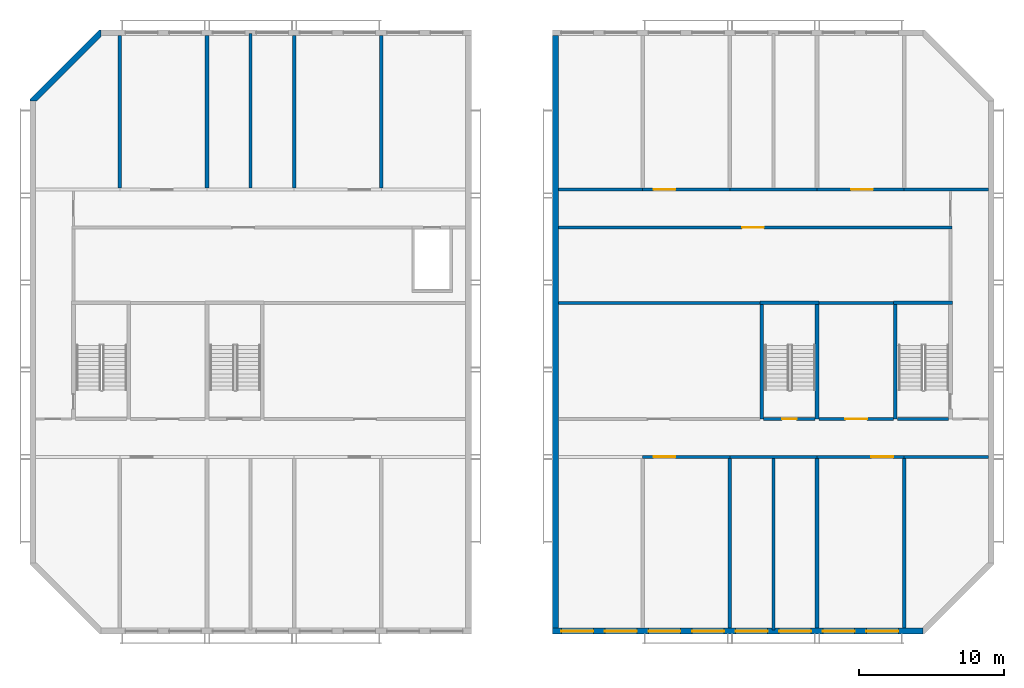
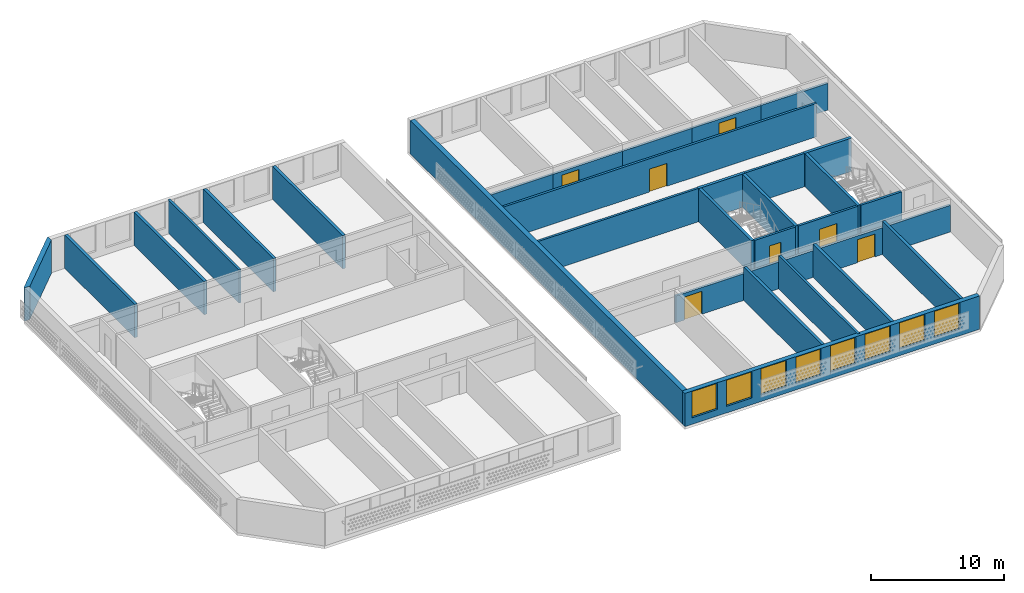
# One storey, part 3 of 18: 32 walls, 8 windows, 7 doors, 15 openings.
"""IFC4 building model written with IfcOpenShell, lengths in metres."""

from ifc_helpers import new_model, si_unit, direction, frame, frame_2d, origin, place, context, subcontext, project, spatial, polyline, rectangle, outline, extrude, material, layer, layer_set, type_object, element, fill, save


model = new_model("IFC4")

# Units and contexts
model_context = context("Model", 3, precision=1e-05, world=origin(), true_north=direction((0.0, 1.0)))
body_context = subcontext(model_context, "Body", "Model", "MODEL_VIEW")
ifc_project = project(units=[si_unit("LENGTHUNIT", "METRE"), si_unit("AREAUNIT", "SQUARE_METRE"), si_unit("VOLUMEUNIT", "CUBIC_METRE"), si_unit("PLANEANGLEUNIT", "RADIAN"), si_unit("MASSUNIT", "GRAM", prefix="KILO")], contexts=[model_context])

# Site, building, storey
site_placement = place(None, origin())
site = spatial("IfcSite", under=ifc_project, at=site_placement, CompositionType="ELEMENT")
building_placement = place(site_placement, origin())
building = spatial("IfcBuilding", under=site, at=building_placement, Name="Poui Terraces", CompositionType="ELEMENT")
storey_placement = place(building_placement, frame((0.0, 0.0, 279.0)))
storey = spatial("IfcBuildingStorey", under=building, at=storey_placement, Name="L77 CROWN", CompositionType="ELEMENT", Elevation=279.0)

# Wall, opening, door
ifc_material_1 = material(Name="Concrete 50 MPa", Category="concrete")
ifc_layer_1 = layer(ifc_material_1, 0.199951171875)
ifc_layer_set_1 = layer_set([ifc_layer_1], Name="Concrete 50 MPa")
wall_type_1 = type_object("IfcWallType", Name="CORRIDOR WALL 200 50MPa", PredefinedType="SHEAR", material=ifc_layer_set_1)
wall_1_placement = place(storey_placement, frame((60.0, 12.0, 0.0), z_axis=(0.0, 0.0, 1.0), x_axis=(1.0, 0.0, 0.0)))
wall_1 = element("IfcWall", 1, at=wall_1_placement, inside=storey, type_object=wall_type_1, Name="CORRIDOR WALL LINE B BAY E2", PredefinedType="SHEAR", context=body_context, shape_type="SweptSolid", body=[
    extrude(rectangle(XDim=6.0, YDim=0.199951171875, at=frame_2d((3.0, 0.0))), origin(), (0.0, 0.0, 1.0), 2.449951171875),
])
opening_1_placement = place(wall_1_placement, frame((0.75, 0.0, 0.0)))
opening_1 = element("IfcOpeningElement", 2, at=opening_1_placement, cuts=wall_1, Name="Opening FDP", PredefinedType="OPENING", context=body_context, shape_type="SweptSolid", body=[
    extrude(rectangle(XDim=1.5, YDim=2.10009765625, at=frame_2d((0.75, 1.050048828125))), frame((0.0, 0.10986328125, 0.0), z_axis=(0.0, -1.0, 0.0), x_axis=(1.0, 0.0, 0.0)), (0.0, 0.0, 1.0), 0.219970703125),
])
ifc_material_2 = material(Name="Steel fire door", Category="steel")
door_type_1 = type_object("IfcDoorType", Name="PLANT ROOM DOOR PAIR 1500 X 2100", OperationType="DOUBLE_DOOR_SINGLE_SWING", PredefinedType="DOOR", material=ifc_material_2)
door_1_placement = place(opening_1_placement, origin())
door_1 = element("IfcDoor", 3, at=door_1_placement, inside=storey, type_object=door_type_1, Name="PLANT ROOM DOOR PAIR 005", OperationType="DOUBLE_DOOR_SINGLE_SWING", OverallHeight=2.10009765625, OverallWidth=1.5, PredefinedType="DOOR", context=body_context, shape_type="SweptSolid", body=[
    extrude(rectangle(XDim=1.5, YDim=2.10009765625, at=frame_2d((0.75, 1.050048828125))), frame((0.0, 0.02490234375, 0.0), z_axis=(0.0, -1.0, 0.0), x_axis=(1.0, 0.0, 0.0)), (0.0, 0.0, 1.0), 0.050048828125),
])
fill(opening_1, door_1)

# Wall
wall_2_placement = place(storey_placement, frame((66.0, 12.0, 0.0), z_axis=(0.0, 0.0, 1.0), x_axis=(1.0, 0.0, 0.0)))
element("IfcWall", 4, at=wall_2_placement, inside=storey, type_object=wall_type_1, Name="CORRIDOR WALL LINE B BAY E3", PredefinedType="SHEAR", context=body_context, shape_type="SweptSolid", body=[
    extrude(rectangle(XDim=6.0, YDim=0.199951171875, at=frame_2d((3.0, 0.0))), origin(), (0.0, 0.0, 1.0), 2.449951171875),
])

# Wall, opening, door
wall_3_placement = place(storey_placement, frame((72.0, 12.0, 0.0), z_axis=(0.0, 0.0, 1.0), x_axis=(1.0, 0.0, 0.0)))
wall_3 = element("IfcWall", 5, at=wall_3_placement, inside=storey, type_object=wall_type_1, Name="CORRIDOR WALL LINE B BAY E4", PredefinedType="SHEAR", context=body_context, shape_type="SweptSolid", body=[
    extrude(rectangle(XDim=6.0, YDim=0.199951171875, at=frame_2d((3.0, 0.0))), origin(), (0.0, 0.0, 1.0), 2.449951171875),
])
opening_2_placement = place(wall_3_placement, frame((3.75, 0.0, 0.0)))
opening_2 = element("IfcOpeningElement", 6, at=opening_2_placement, cuts=wall_3, Name="Opening FDP", PredefinedType="OPENING", context=body_context, shape_type="SweptSolid", body=[
    extrude(rectangle(XDim=1.5, YDim=2.10009765625, at=frame_2d((0.75, 1.050048828125))), frame((0.0, 0.10986328125, 0.0), z_axis=(0.0, -1.0, 0.0), x_axis=(1.0, 0.0, 0.0)), (0.0, 0.0, 1.0), 0.219970703125),
])
door_2_placement = place(opening_2_placement, origin())
door_2 = element("IfcDoor", 7, at=door_2_placement, inside=storey, type_object=door_type_1, Name="PLANT ROOM DOOR PAIR 007", OperationType="DOUBLE_DOOR_SINGLE_SWING", OverallHeight=2.10009765625, OverallWidth=1.5, PredefinedType="DOOR", context=body_context, shape_type="SweptSolid", body=[
    extrude(rectangle(XDim=1.5, YDim=2.10009765625, at=frame_2d((0.75, 1.050048828125))), frame((0.0, 0.02490234375, 0.0), z_axis=(0.0, -1.0, 0.0), x_axis=(1.0, 0.0, 0.0)), (0.0, 0.0, 1.0), 0.050048828125),
])
fill(opening_2, door_2)

# Walls
for number, where, z_axis, x_axis, name in (
    (8, (78.0, 12.0, 0.0), (0.0, 0.0, 1.0), (1.0, 0.0, 0.0), "CORRIDOR WALL LINE B BAY E5"),
    (9, (54.199951171875, 30.39990234375, 0.0), (0.0, 0.0, 1.0), (1.0, 0.0, 0.0), "CORRIDOR WALL LINE E BAY E1"),
):
    element("IfcWall", number, at=place(storey_placement, frame(where, z_axis=z_axis, x_axis=x_axis)), inside=storey, type_object=wall_type_1, Name=name, PredefinedType="SHEAR", context=body_context, shape_type="SweptSolid", body=[
        extrude(rectangle(XDim=5.800048828125, YDim=0.199951171875, at=frame_2d((2.89990234375, 0.0))), origin(), (0.0, 0.0, 1.0), 2.449951171875),
    ])

# Wall, opening, door
wall_4_placement = place(storey_placement, frame((60.0, 30.39990234375, 0.0), z_axis=(0.0, 0.0, 1.0), x_axis=(1.0, 0.0, 0.0)))
wall_4 = element("IfcWall", 10, at=wall_4_placement, inside=storey, type_object=wall_type_1, Name="CORRIDOR WALL LINE E BAY E2", PredefinedType="SHEAR", context=body_context, shape_type="SweptSolid", body=[
    extrude(rectangle(XDim=6.0, YDim=0.199951171875, at=frame_2d((3.0, 0.0))), origin(), (0.0, 0.0, 1.0), 2.449951171875),
])
opening_3_placement = place(wall_4_placement, frame((0.75, 0.0, 0.0)))
opening_3 = element("IfcOpeningElement", 11, at=opening_3_placement, cuts=wall_4, Name="Opening FDP", PredefinedType="OPENING", context=body_context, shape_type="SweptSolid", body=[
    extrude(rectangle(XDim=1.5, YDim=2.10009765625, at=frame_2d((0.75, 1.050048828125))), frame((0.0, 0.10986328125, 0.0), z_axis=(0.0, -1.0, 0.0), x_axis=(1.0, 0.0, 0.0)), (0.0, 0.0, 1.0), 0.219970703125),
])
door_3_placement = place(opening_3_placement, frame((1.5, 0.0, 0.0), z_axis=(0.0, 0.0, 1.0), x_axis=(-1.0, 0.0, 0.0)))
door_3 = element("IfcDoor", 12, at=door_3_placement, inside=storey, type_object=door_type_1, Name="PLANT ROOM DOOR PAIR 001", OperationType="DOUBLE_DOOR_SINGLE_SWING", OverallHeight=2.10009765625, OverallWidth=1.5, PredefinedType="DOOR", context=body_context, shape_type="SweptSolid", body=[
    extrude(rectangle(XDim=1.5, YDim=2.10009765625, at=frame_2d((0.75, 1.050048828125))), frame((0.0, 0.02490234375, 0.0), z_axis=(0.0, -1.0, 0.0), x_axis=(1.0, 0.0, 0.0)), (0.0, 0.0, 1.0), 0.050048828125),
])
fill(opening_3, door_3)

# Wall
wall_5_placement = place(storey_placement, frame((66.0, 30.39990234375, 0.0), z_axis=(0.0, 0.0, 1.0), x_axis=(1.0, 0.0, 0.0)))
element("IfcWall", 13, at=wall_5_placement, inside=storey, type_object=wall_type_1, Name="CORRIDOR WALL LINE E BAY E3", PredefinedType="SHEAR", context=body_context, shape_type="SweptSolid", body=[
    extrude(rectangle(XDim=6.0, YDim=0.199951171875, at=frame_2d((3.0, 0.0))), origin(), (0.0, 0.0, 1.0), 2.449951171875),
])

# Wall, opening, door
wall_6_placement = place(storey_placement, frame((72.0, 30.39990234375, 0.0), z_axis=(0.0, 0.0, 1.0), x_axis=(1.0, 0.0, 0.0)))
wall_6 = element("IfcWall", 14, at=wall_6_placement, inside=storey, type_object=wall_type_1, Name="CORRIDOR WALL LINE E BAY E4", PredefinedType="SHEAR", context=body_context, shape_type="SweptSolid", body=[
    extrude(rectangle(XDim=6.0, YDim=0.199951171875, at=frame_2d((3.0, 0.0))), origin(), (0.0, 0.0, 1.0), 2.449951171875),
])
opening_4_placement = place(wall_6_placement, frame((2.35009765625, 0.0, 0.0)))
opening_4 = element("IfcOpeningElement", 15, at=opening_4_placement, cuts=wall_6, Name="Opening FDP", PredefinedType="OPENING", context=body_context, shape_type="SweptSolid", body=[
    extrude(rectangle(XDim=1.5, YDim=2.10009765625, at=frame_2d((0.75, 1.050048828125))), frame((0.0, 0.10986328125, 0.0), z_axis=(0.0, -1.0, 0.0), x_axis=(1.0, 0.0, 0.0)), (0.0, 0.0, 1.0), 0.219970703125),
])
door_4_placement = place(opening_4_placement, frame((1.5, 0.0, 0.0), z_axis=(0.0, 0.0, 1.0), x_axis=(-1.0, 0.0, 0.0)))
door_4 = element("IfcDoor", 16, at=door_4_placement, inside=storey, type_object=door_type_1, Name="PLANT ROOM DOOR PAIR 003", OperationType="DOUBLE_DOOR_SINGLE_SWING", OverallHeight=2.10009765625, OverallWidth=1.5, PredefinedType="DOOR", context=body_context, shape_type="SweptSolid", body=[
    extrude(rectangle(XDim=1.5, YDim=2.10009765625, at=frame_2d((0.75, 1.050048828125))), frame((0.0, 0.02490234375, 0.0), z_axis=(0.0, -1.0, 0.0), x_axis=(1.0, 0.0, 0.0)), (0.0, 0.0, 1.0), 0.050048828125),
])
fill(opening_4, door_4)

# Walls
wall_7_placement = place(storey_placement, frame((78.0, 30.39990234375, 0.0), z_axis=(0.0, 0.0, 1.0), x_axis=(1.0, 0.0, 0.0)))
element("IfcWall", 17, at=wall_7_placement, inside=storey, type_object=wall_type_1, Name="CORRIDOR WALL LINE E BAY E5", PredefinedType="SHEAR", context=body_context, shape_type="SweptSolid", body=[
    extrude(rectangle(XDim=5.800048828125, YDim=0.199951171875, at=frame_2d((2.89990234375, 0.0))), origin(), (0.0, 0.0, 1.0), 2.449951171875),
])
ifc_layer_2 = layer(ifc_material_1, 0.25)
ifc_layer_set_2 = layer_set([ifc_layer_2], Name="Concrete 50 MPa")
wall_type_2 = type_object("IfcWallType", Name="CROSS WALL 250 50MPa", PredefinedType="SHEAR", material=ifc_layer_set_2)
for number, where, z_axis, x_axis, name in (
    (18, (24.0, 30.5, 0.0), (0.0, 0.0, 1.0), (0.0, 1.0, 0.0), "CROSS WALL LINE 5 NORTH"),
    (19, (30.0, 30.5, 0.0), (0.0, 0.0, 1.0), (0.0, 1.0, 0.0), "CROSS WALL LINE 6 NORTH"),
    (20, (36.0, 30.5, 0.0), (0.0, 0.0, 1.0), (0.0, 1.0, 0.0), "CROSS WALL LINE 7 NORTH"),
    (21, (42.0, 30.5, 0.0), (0.0, 0.0, 1.0), (0.0, 1.0, 0.0), "CROSS WALL LINE 8 NORTH"),
):
    element("IfcWall", number, at=place(storey_placement, frame(where, z_axis=z_axis, x_axis=x_axis)), inside=storey, type_object=wall_type_2, Name=name, PredefinedType="SHEAR", context=body_context, shape_type="SweptSolid", body=[
        extrude(rectangle(XDim=10.5, YDim=0.25, at=frame_2d((5.25, 0.0))), origin(), (0.0, 0.0, 1.0), 3.050048828125),
    ])
for number, where, z_axis, x_axis, name in (
    (22, (66.0, 0.199951171875, 0.0), (0.0, 0.0, 1.0), (0.0, 1.0, 0.0), "CROSS WALL LINE 12 SOUTH"),
    (23, (72.0, 0.199951171875, 0.0), (0.0, 0.0, 1.0), (0.0, 1.0, 0.0), "CROSS WALL LINE 13 SOUTH"),
    (24, (78.0, 0.199951171875, 0.0), (0.0, 0.0, 1.0), (0.0, 1.0, 0.0), "CROSS WALL LINE 14 SOUTH"),
):
    element("IfcWall", number, at=place(storey_placement, frame(where, z_axis=z_axis, x_axis=x_axis)), inside=storey, type_object=wall_type_2, Name=name, PredefinedType="SHEAR", context=body_context, shape_type="SweptSolid", body=[
        extrude(rectangle(XDim=11.699951171875, YDim=0.25, at=frame_2d((5.85009765625, 0.0))), origin(), (0.0, 0.0, 1.0), 3.050048828125),
    ])
ifc_layer_3 = layer(ifc_material_1, 0.39990234375)
ifc_layer_set_3 = layer_set([ifc_layer_3], Name="Concrete 50 MPa")
wall_type_3 = type_object("IfcWallType", Name="END WALL 400 50MPa", PredefinedType="SHEAR", material=ifc_layer_set_3)
wall_8_placement = place(storey_placement, frame((54.0, 0.199951171875, 0.0), z_axis=(0.0, 0.0, 1.0), x_axis=(0.0, 1.0, 0.0)))
element("IfcWall", 25, at=wall_8_placement, inside=storey, type_object=wall_type_3, Name="END WALL LINE 10", PredefinedType="SHEAR", context=body_context, shape_type="SweptSolid", body=[
    extrude(rectangle(XDim=40.800048828125, YDim=0.39990234375, at=frame_2d((20.39990234375, 0.0))), origin(), (0.0, 0.0, 1.0), 3.050048828125),
])

# Wall, openings, windows
ifc_material_3 = material(Name="Precast concrete 40 MPa", Category="concrete")
ifc_layer_4 = layer(ifc_material_3, 0.39990234375)
ifc_layer_set_4 = layer_set([ifc_layer_4], Name="Precast concrete 40 MPa")
wall_type_4 = type_object("IfcWallType", Name="EXTERNAL WALL 400", PredefinedType="STANDARD", material=ifc_layer_set_4)
wall_9_placement = place(storey_placement, frame((53.800048828125, 0.0, 0.0), z_axis=(0.0, 0.0, 1.0), x_axis=(1.0, 0.0, 0.0)))
wall_9 = element("IfcWall", 26, at=wall_9_placement, inside=storey, type_object=wall_type_4, Name="EXTERNAL WALL S", PredefinedType="STANDARD", context=body_context, shape_type="SweptSolid", body=[
    extrude(rectangle(XDim=25.51708984375, YDim=0.39990234375, at=frame_2d((12.758544921875, 0.0))), origin(), (0.0, 0.0, 1.0), 3.050048828125),
])
opening_5_placement = place(wall_9_placement, frame((0.60009765625, 0.0, 0.60009765625)))
opening_5 = element("IfcOpeningElement", 27, at=opening_5_placement, cuts=wall_9, Name="Opening W5", PredefinedType="OPENING", context=body_context, shape_type="SweptSolid", body=[
    extrude(rectangle(XDim=2.199951171875, YDim=2.39990234375, at=frame_2d((1.10009765625, 1.199951171875))), frame((0.0, 0.2099609375, 0.0), z_axis=(0.0, -1.0, 0.0), x_axis=(1.0, 0.0, 0.0)), (0.0, 0.0, 1.0), 0.419921875),
])
opening_6_placement = place(wall_9_placement, frame((3.60009765625, 0.0, 0.60009765625)))
opening_6 = element("IfcOpeningElement", 28, at=opening_6_placement, cuts=wall_9, Name="Opening W5", PredefinedType="OPENING", context=body_context, shape_type="SweptSolid", body=[
    extrude(rectangle(XDim=2.199951171875, YDim=2.39990234375, at=frame_2d((1.10009765625, 1.199951171875))), frame((0.0, 0.2099609375, 0.0), z_axis=(0.0, -1.0, 0.0), x_axis=(1.0, 0.0, 0.0)), (0.0, 0.0, 1.0), 0.419921875),
])
opening_7_placement = place(wall_9_placement, frame((6.60009765625, 0.0, 0.60009765625)))
opening_7 = element("IfcOpeningElement", 29, at=opening_7_placement, cuts=wall_9, Name="Opening W5", PredefinedType="OPENING", context=body_context, shape_type="SweptSolid", body=[
    extrude(rectangle(XDim=2.199951171875, YDim=2.39990234375, at=frame_2d((1.10009765625, 1.199951171875))), frame((0.0, 0.2099609375, 0.0), z_axis=(0.0, -1.0, 0.0), x_axis=(1.0, 0.0, 0.0)), (0.0, 0.0, 1.0), 0.419921875),
])
opening_8_placement = place(wall_9_placement, frame((9.60009765625, 0.0, 0.60009765625)))
opening_8 = element("IfcOpeningElement", 30, at=opening_8_placement, cuts=wall_9, Name="Opening W5", PredefinedType="OPENING", context=body_context, shape_type="SweptSolid", body=[
    extrude(rectangle(XDim=2.199951171875, YDim=2.39990234375, at=frame_2d((1.10009765625, 1.199951171875))), frame((0.0, 0.2099609375, 0.0), z_axis=(0.0, -1.0, 0.0), x_axis=(1.0, 0.0, 0.0)), (0.0, 0.0, 1.0), 0.419921875),
])
opening_9_placement = place(wall_9_placement, frame((12.60009765625, 0.0, 0.60009765625)))
opening_9 = element("IfcOpeningElement", 31, at=opening_9_placement, cuts=wall_9, Name="Opening W5", PredefinedType="OPENING", context=body_context, shape_type="SweptSolid", body=[
    extrude(rectangle(XDim=2.199951171875, YDim=2.39990234375, at=frame_2d((1.10009765625, 1.199951171875))), frame((0.0, 0.2099609375, 0.0), z_axis=(0.0, -1.0, 0.0), x_axis=(1.0, 0.0, 0.0)), (0.0, 0.0, 1.0), 0.419921875),
])
opening_10_placement = place(wall_9_placement, frame((15.60009765625, 0.0, 0.60009765625)))
opening_10 = element("IfcOpeningElement", 32, at=opening_10_placement, cuts=wall_9, Name="Opening W5", PredefinedType="OPENING", context=body_context, shape_type="SweptSolid", body=[
    extrude(rectangle(XDim=2.199951171875, YDim=2.39990234375, at=frame_2d((1.10009765625, 1.199951171875))), frame((0.0, 0.2099609375, 0.0), z_axis=(0.0, -1.0, 0.0), x_axis=(1.0, 0.0, 0.0)), (0.0, 0.0, 1.0), 0.419921875),
])
opening_11_placement = place(wall_9_placement, frame((18.60009765625, 0.0, 0.60009765625)))
opening_11 = element("IfcOpeningElement", 33, at=opening_11_placement, cuts=wall_9, Name="Opening W5", PredefinedType="OPENING", context=body_context, shape_type="SweptSolid", body=[
    extrude(rectangle(XDim=2.199951171875, YDim=2.39990234375, at=frame_2d((1.10009765625, 1.199951171875))), frame((0.0, 0.2099609375, 0.0), z_axis=(0.0, -1.0, 0.0), x_axis=(1.0, 0.0, 0.0)), (0.0, 0.0, 1.0), 0.419921875),
])
opening_12_placement = place(wall_9_placement, frame((21.60009765625, 0.0, 0.60009765625)))
opening_12 = element("IfcOpeningElement", 34, at=opening_12_placement, cuts=wall_9, Name="Opening W5", PredefinedType="OPENING", context=body_context, shape_type="SweptSolid", body=[
    extrude(rectangle(XDim=2.199951171875, YDim=2.39990234375, at=frame_2d((1.10009765625, 1.199951171875))), frame((0.0, 0.2099609375, 0.0), z_axis=(0.0, -1.0, 0.0), x_axis=(1.0, 0.0, 0.0)), (0.0, 0.0, 1.0), 0.419921875),
])
ifc_material_4 = material(Name="Clear glass in aluminium frame", Category="aluminium")
window_type = type_object("IfcWindowType", Name="WINDOW 2200X2400", PartitioningType="TRIPLE_PANEL_HORIZONTAL", PredefinedType="WINDOW", material=ifc_material_4)
window_1_placement = place(opening_5_placement, origin())
window_1 = element("IfcWindow", 35, at=window_1_placement, inside=storey, type_object=window_type, Name="W5 WINDOW", OverallHeight=2.39990234375, OverallWidth=2.199951171875, PartitioningType="TRIPLE_PANEL_HORIZONTAL", PredefinedType="WINDOW", context=body_context, shape_type="SweptSolid", body=[
    extrude(rectangle(XDim=2.199951171875, YDim=2.39990234375, at=frame_2d((1.10009765625, 1.199951171875))), frame((0.0, 0.030029296875, 0.0), z_axis=(0.0, -1.0, 0.0), x_axis=(1.0, 0.0, 0.0)), (0.0, 0.0, 1.0), 0.06005859375),
])
fill(opening_5, window_1)
window_2_placement = place(opening_6_placement, origin())
window_2 = element("IfcWindow", 36, at=window_2_placement, inside=storey, type_object=window_type, Name="W5 WINDOW", OverallHeight=2.39990234375, OverallWidth=2.199951171875, PartitioningType="TRIPLE_PANEL_HORIZONTAL", PredefinedType="WINDOW", context=body_context, shape_type="SweptSolid", body=[
    extrude(rectangle(XDim=2.199951171875, YDim=2.39990234375, at=frame_2d((1.10009765625, 1.199951171875))), frame((0.0, 0.030029296875, 0.0), z_axis=(0.0, -1.0, 0.0), x_axis=(1.0, 0.0, 0.0)), (0.0, 0.0, 1.0), 0.06005859375),
])
fill(opening_6, window_2)
window_3_placement = place(opening_7_placement, origin())
window_3 = element("IfcWindow", 37, at=window_3_placement, inside=storey, type_object=window_type, Name="W5 WINDOW", OverallHeight=2.39990234375, OverallWidth=2.199951171875, PartitioningType="TRIPLE_PANEL_HORIZONTAL", PredefinedType="WINDOW", context=body_context, shape_type="SweptSolid", body=[
    extrude(rectangle(XDim=2.199951171875, YDim=2.39990234375, at=frame_2d((1.10009765625, 1.199951171875))), frame((0.0, 0.030029296875, 0.0), z_axis=(0.0, -1.0, 0.0), x_axis=(1.0, 0.0, 0.0)), (0.0, 0.0, 1.0), 0.06005859375),
])
fill(opening_7, window_3)
window_4_placement = place(opening_8_placement, origin())
window_4 = element("IfcWindow", 38, at=window_4_placement, inside=storey, type_object=window_type, Name="W5 WINDOW", OverallHeight=2.39990234375, OverallWidth=2.199951171875, PartitioningType="TRIPLE_PANEL_HORIZONTAL", PredefinedType="WINDOW", context=body_context, shape_type="SweptSolid", body=[
    extrude(rectangle(XDim=2.199951171875, YDim=2.39990234375, at=frame_2d((1.10009765625, 1.199951171875))), frame((0.0, 0.030029296875, 0.0), z_axis=(0.0, -1.0, 0.0), x_axis=(1.0, 0.0, 0.0)), (0.0, 0.0, 1.0), 0.06005859375),
])
fill(opening_8, window_4)
window_5_placement = place(opening_9_placement, origin())
window_5 = element("IfcWindow", 39, at=window_5_placement, inside=storey, type_object=window_type, Name="W5 WINDOW", OverallHeight=2.39990234375, OverallWidth=2.199951171875, PartitioningType="TRIPLE_PANEL_HORIZONTAL", PredefinedType="WINDOW", context=body_context, shape_type="SweptSolid", body=[
    extrude(rectangle(XDim=2.199951171875, YDim=2.39990234375, at=frame_2d((1.10009765625, 1.199951171875))), frame((0.0, 0.030029296875, 0.0), z_axis=(0.0, -1.0, 0.0), x_axis=(1.0, 0.0, 0.0)), (0.0, 0.0, 1.0), 0.06005859375),
])
fill(opening_9, window_5)
window_6_placement = place(opening_10_placement, origin())
window_6 = element("IfcWindow", 40, at=window_6_placement, inside=storey, type_object=window_type, Name="W5 WINDOW", OverallHeight=2.39990234375, OverallWidth=2.199951171875, PartitioningType="TRIPLE_PANEL_HORIZONTAL", PredefinedType="WINDOW", context=body_context, shape_type="SweptSolid", body=[
    extrude(rectangle(XDim=2.199951171875, YDim=2.39990234375, at=frame_2d((1.10009765625, 1.199951171875))), frame((0.0, 0.030029296875, 0.0), z_axis=(0.0, -1.0, 0.0), x_axis=(1.0, 0.0, 0.0)), (0.0, 0.0, 1.0), 0.06005859375),
])
fill(opening_10, window_6)
window_7_placement = place(opening_11_placement, origin())
window_7 = element("IfcWindow", 41, at=window_7_placement, inside=storey, type_object=window_type, Name="W5 WINDOW", OverallHeight=2.39990234375, OverallWidth=2.199951171875, PartitioningType="TRIPLE_PANEL_HORIZONTAL", PredefinedType="WINDOW", context=body_context, shape_type="SweptSolid", body=[
    extrude(rectangle(XDim=2.199951171875, YDim=2.39990234375, at=frame_2d((1.10009765625, 1.199951171875))), frame((0.0, 0.030029296875, 0.0), z_axis=(0.0, -1.0, 0.0), x_axis=(1.0, 0.0, 0.0)), (0.0, 0.0, 1.0), 0.06005859375),
])
fill(opening_11, window_7)
window_8_placement = place(opening_12_placement, origin())
window_8 = element("IfcWindow", 42, at=window_8_placement, inside=storey, type_object=window_type, Name="W5 WINDOW", OverallHeight=2.39990234375, OverallWidth=2.199951171875, PartitioningType="TRIPLE_PANEL_HORIZONTAL", PredefinedType="WINDOW", context=body_context, shape_type="SweptSolid", body=[
    extrude(rectangle(XDim=2.199951171875, YDim=2.39990234375, at=frame_2d((1.10009765625, 1.199951171875))), frame((0.0, 0.030029296875, 0.0), z_axis=(0.0, -1.0, 0.0), x_axis=(1.0, 0.0, 0.0)), (0.0, 0.0, 1.0), 0.06005859375),
])
fill(opening_12, window_8)

# Wall, opening, door
ifc_material_5 = material(Name="Fire-rated masonry wall", Category="masonry")
ifc_layer_5 = layer(ifc_material_5, 0.199951171875)
ifc_layer_set_5 = layer_set([ifc_layer_5], Name="Fire-rated masonry wall")
wall_type_5 = type_object("IfcWallType", Name="PLANT ROOM WALL 200", PredefinedType="PARTITIONING", material=ifc_layer_set_5)
wall_10_placement = place(storey_placement, frame((72.135009765625, 14.60009765625, 0.0), z_axis=(0.0, 0.0, 1.0), x_axis=(1.0, 0.0, 0.0)))
wall_10 = element("IfcWall", 43, at=wall_10_placement, inside=storey, type_object=wall_type_5, Name="PLANT ROOM WALL 200", PredefinedType="PARTITIONING", context=body_context, shape_type="SweptSolid", body=[
    extrude(rectangle(XDim=5.1298828125, YDim=0.199951171875, at=frame_2d((2.56494140625, 0.0))), origin(), (0.0, 0.0, 1.0), 3.050048828125),
])
opening_13_placement = place(wall_10_placement, frame((1.81494140625, 0.0, 0.0)))
opening_13 = element("IfcOpeningElement", 44, at=opening_13_placement, cuts=wall_10, Name="Opening FDP", PredefinedType="OPENING", context=body_context, shape_type="SweptSolid", body=[
    extrude(rectangle(XDim=1.5, YDim=2.10009765625, at=frame_2d((0.75, 1.050048828125))), frame((0.0, 0.10986328125, 0.0), z_axis=(0.0, -1.0, 0.0), x_axis=(1.0, 0.0, 0.0)), (0.0, 0.0, 1.0), 0.219970703125),
])
door_5_placement = place(opening_13_placement, frame((1.5, 0.0, 0.0), z_axis=(0.0, 0.0, 1.0), x_axis=(-1.0, 0.0, 0.0)))
door_5 = element("IfcDoor", 45, at=door_5_placement, inside=storey, type_object=door_type_1, Name="PLANT ROOM DOOR PAIR 006", OperationType="DOUBLE_DOOR_SINGLE_SWING", OverallHeight=2.10009765625, OverallWidth=1.5, PredefinedType="DOOR", context=body_context, shape_type="SweptSolid", body=[
    extrude(rectangle(XDim=1.5, YDim=2.10009765625, at=frame_2d((0.75, 1.050048828125))), frame((0.0, 0.02490234375, 0.0), z_axis=(0.0, -1.0, 0.0), x_axis=(1.0, 0.0, 0.0)), (0.0, 0.0, 1.0), 0.050048828125),
])
fill(opening_13, door_5)

# Walls
wall_11_placement = place(storey_placement, frame((54.2099609375, 22.60009765625, 0.0), z_axis=(0.0, 0.0, 1.0), x_axis=(1.0, 0.0, 0.0)))
element("IfcWall", 46, at=wall_11_placement, inside=storey, type_object=wall_type_5, Name="PLANT ROOM WALL 200", PredefinedType="PARTITIONING", context=body_context, shape_type="SweptSolid", body=[
    extrude(rectangle(XDim=13.85498046875, YDim=0.199951171875, at=frame_2d((6.927490234375, 0.0))), origin(), (0.0, 0.0, 1.0), 3.050048828125),
])
wall_12_placement = place(storey_placement, frame((72.135009765625, 22.60009765625, 0.0), z_axis=(0.0, 0.0, 1.0), x_axis=(1.0, 0.0, 0.0)))
element("IfcWall", 47, at=wall_12_placement, inside=storey, type_object=wall_type_5, Name="PLANT ROOM WALL 200", PredefinedType="PARTITIONING", context=body_context, shape_type="SweptSolid", body=[
    extrude(rectangle(XDim=5.1298828125, YDim=0.199951171875, at=frame_2d((2.56494140625, 0.0))), origin(), (0.0, 0.0, 1.0), 3.050048828125),
])

# Wall, opening, door
wall_13_placement = place(storey_placement, frame((54.2099609375, 27.800048828125, 0.0), z_axis=(0.0, 0.0, 1.0), x_axis=(1.0, 0.0, 0.0)))
wall_13 = element("IfcWall", 48, at=wall_13_placement, inside=storey, type_object=wall_type_5, Name="PLANT ROOM WALL 200", PredefinedType="PARTITIONING", context=body_context, shape_type="SweptSolid", body=[
    extrude(rectangle(XDim=27.090087890625, YDim=0.199951171875, at=frame_2d((13.544921875, 0.0))), origin(), (0.0, 0.0, 1.0), 3.050048828125),
])
opening_14_placement = place(wall_13_placement, frame((12.639892578125, 0.0, 0.0)))
opening_14 = element("IfcOpeningElement", 49, at=opening_14_placement, cuts=wall_13, Name="Opening FDP", PredefinedType="OPENING", context=body_context, shape_type="SweptSolid", body=[
    extrude(rectangle(XDim=1.5, YDim=2.10009765625, at=frame_2d((0.75, 1.050048828125))), frame((0.0, 0.10986328125, 0.0), z_axis=(0.0, -1.0, 0.0), x_axis=(1.0, 0.0, 0.0)), (0.0, 0.0, 1.0), 0.219970703125),
])
door_6_placement = place(opening_14_placement, origin())
door_6 = element("IfcDoor", 50, at=door_6_placement, inside=storey, type_object=door_type_1, Name="PLANT ROOM DOOR PAIR 002", OperationType="DOUBLE_DOOR_SINGLE_SWING", OverallHeight=2.10009765625, OverallWidth=1.5, PredefinedType="DOOR", context=body_context, shape_type="SweptSolid", body=[
    extrude(rectangle(XDim=1.5, YDim=2.10009765625, at=frame_2d((0.75, 1.050048828125))), frame((0.0, 0.02490234375, 0.0), z_axis=(0.0, -1.0, 0.0), x_axis=(1.0, 0.0, 0.0)), (0.0, 0.0, 1.0), 0.050048828125),
])
fill(opening_14, door_6)

# Walls
wall_14_placement = place(storey_placement, frame((33.0, 30.510009765625, 0.0), z_axis=(0.0, 0.0, 1.0), x_axis=(0.0, 1.0, 0.0)))
element("IfcWall", 51, at=wall_14_placement, inside=storey, type_object=wall_type_5, Name="PLANT ROOM WALL 200", PredefinedType="PARTITIONING", context=body_context, shape_type="SweptSolid", body=[
    extrude(rectangle(XDim=10.6298828125, YDim=0.199951171875, at=frame_2d((5.31494140625, 0.0))), origin(), (0.0, 0.0, 1.0), 3.050048828125),
])
wall_15_placement = place(storey_placement, frame((69.0, 0.06005859375, 0.0), z_axis=(0.0, 0.0, 1.0), x_axis=(0.0, 1.0, 0.0)))
element("IfcWall", 52, at=wall_15_placement, inside=storey, type_object=wall_type_5, Name="PLANT ROOM WALL 200", PredefinedType="PARTITIONING", context=body_context, shape_type="SweptSolid", body=[
    extrude(rectangle(XDim=11.829833984375, YDim=0.199951171875, at=frame_2d((5.9150390625, 0.0))), origin(), (0.0, 0.0, 1.0), 3.050048828125),
])
ifc_layer_6 = layer(ifc_material_1, 0.25)
ifc_layer_set_6 = layer_set([ifc_layer_6], Name="Concrete 50 MPa")
wall_type_6 = type_object("IfcWallType", Name="STAIR CORE WALL 250 50 MPA", PredefinedType="SOLIDWALL", material=ifc_layer_set_6)
wall_16_placement = place(storey_placement, frame((77.39990234375, 14.60009765625, 0.0), z_axis=(0.0, 0.0, 1.0), x_axis=(0.0, 1.0, 0.0)))
element("IfcWall", 53, at=wall_16_placement, inside=storey, type_object=wall_type_6, Name="STAIR CORE WALL", PredefinedType="SOLIDWALL", context=body_context, shape_type="SweptSolid", body=[
    extrude(rectangle(XDim=7.875, YDim=0.25, at=frame_2d((3.9375, 0.0))), origin(), (0.0, 0.0, 1.0), 3.050048828125),
])
wall_17_placement = place(storey_placement, frame((77.27490234375, 22.60009765625, 0.0), z_axis=(0.0, 0.0, 1.0), x_axis=(1.0, 0.0, 0.0)))
element("IfcWall", 54, at=wall_17_placement, inside=storey, type_object=wall_type_6, Name="STAIR CORE WALL", PredefinedType="SOLIDWALL", context=body_context, shape_type="SweptSolid", body=[
    extrude(rectangle(XDim=4.050048828125, YDim=0.25, at=frame_2d((2.02490234375, 0.0))), origin(), (0.0, 0.0, 1.0), 3.050048828125),
])
for number, where, z_axis, x_axis, name in (
    (55, (68.199951171875, 14.60009765625, 0.0), (0.0, 0.0, 1.0), (0.0, 1.0, 0.0), "STAIR CORE WALL"),
    (56, (72.0, 14.60009765625, 0.0), (0.0, 0.0, 1.0), (0.0, 1.0, 0.0), "STAIR CORE WALL"),
):
    element("IfcWall", number, at=place(storey_placement, frame(where, z_axis=z_axis, x_axis=x_axis)), inside=storey, type_object=wall_type_6, Name=name, PredefinedType="SOLIDWALL", context=body_context, shape_type="SweptSolid", body=[
        extrude(rectangle(XDim=7.875, YDim=0.25, at=frame_2d((3.9375, 0.0))), origin(), (0.0, 0.0, 1.0), 3.050048828125),
    ])
wall_18_placement = place(storey_placement, frame((68.074951171875, 22.60009765625, 0.0), z_axis=(0.0, 0.0, 1.0), x_axis=(1.0, 0.0, 0.0)))
element("IfcWall", 57, at=wall_18_placement, inside=storey, type_object=wall_type_6, Name="STAIR CORE WALL", PredefinedType="SOLIDWALL", context=body_context, shape_type="SweptSolid", body=[
    extrude(rectangle(XDim=4.050048828125, YDim=0.25, at=frame_2d((2.02490234375, 0.0))), origin(), (0.0, 0.0, 1.0), 3.050048828125),
])

# Wall, opening, door
ifc_layer_7 = layer(ifc_material_5, 0.199951171875)
ifc_layer_set_7 = layer_set([ifc_layer_7], Name="Fire-rated masonry wall")
wall_type_7 = type_object("IfcWallType", Name="STAIR WALL 200", PredefinedType="PARTITIONING", material=ifc_layer_set_7)
wall_19_placement = place(storey_placement, frame((68.3349609375, 14.60009765625, 0.0), z_axis=(0.0, 0.0, 1.0), x_axis=(1.0, 0.0, 0.0)))
wall_19 = element("IfcWall", 58, at=wall_19_placement, inside=storey, type_object=wall_type_7, Name="STAIR WALL 200", PredefinedType="PARTITIONING", context=body_context, shape_type="SweptSolid", body=[
    extrude(rectangle(XDim=3.530029296875, YDim=0.199951171875, at=frame_2d((1.76513671875, 0.0))), origin(), (0.0, 0.0, 1.0), 3.050048828125),
])
opening_15_placement = place(wall_19_placement, frame((1.264892578125, 0.0, 0.0)))
opening_15 = element("IfcOpeningElement", 59, at=opening_15_placement, cuts=wall_19, Name="Opening FD60S", PredefinedType="OPENING", context=body_context, shape_type="SweptSolid", body=[
    extrude(rectangle(XDim=1.0, YDim=2.10009765625, at=frame_2d((0.5, 1.050048828125))), frame((0.0, 0.10986328125, 0.0), z_axis=(0.0, -1.0, 0.0), x_axis=(1.0, 0.0, 0.0)), (0.0, 0.0, 1.0), 0.219970703125),
])
door_type_2 = type_object("IfcDoorType", Name="STAIR DOOR 1000 X 2100", OperationType="NOTDEFINED", PredefinedType="DOOR", material=ifc_material_2)
door_7_placement = place(opening_15_placement, frame((1.0, 0.0, 0.0), z_axis=(0.0, 0.0, 1.0), x_axis=(-1.0, 0.0, 0.0)))
door_7 = element("IfcDoor", 60, at=door_7_placement, inside=storey, type_object=door_type_2, Name="STAIR DOOR 011", OperationType="SINGLE_SWING_LEFT", OverallHeight=2.10009765625, OverallWidth=1.0, PredefinedType="DOOR", context=body_context, shape_type="SweptSolid", body=[
    extrude(rectangle(XDim=1.0, YDim=2.10009765625, at=frame_2d((0.5, 1.050048828125))), frame((0.0, 0.02490234375, 0.0), z_axis=(0.0, -1.0, 0.0), x_axis=(1.0, 0.0, 0.0)), (0.0, 0.0, 1.0), 0.050048828125),
])
fill(opening_15, door_7)

# Walls
wall_20_placement = place(storey_placement, frame((77.534912109375, 14.60009765625, 0.0), z_axis=(0.0, 0.0, 1.0), x_axis=(1.0, 0.0, 0.0)))
element("IfcWall", 61, at=wall_20_placement, inside=storey, type_object=wall_type_7, Name="STAIR WALL 200", PredefinedType="PARTITIONING", context=body_context, shape_type="SweptSolid", body=[
    extrude(rectangle(XDim=3.530029296875, YDim=0.199951171875, at=frame_2d((1.76513671875, 0.0))), origin(), (0.0, 0.0, 1.0), 3.050048828125),
])
ifc_layer_8 = layer(ifc_material_3, 0.39990234375)
ifc_layer_set_8 = layer_set([ifc_layer_8], Name="Precast concrete 40 MPa")
wall_type_8 = type_object("IfcWallType", Name="TERRACOTTA CLAD CHAMFER WALL 400", PredefinedType="STANDARD", material=ifc_layer_set_8)
wall_21_placement = place(storey_placement, origin())
element("IfcWall", 62, at=wall_21_placement, inside=storey, type_object=wall_type_8, Name="CHAMFER WALL CH03", PredefinedType="STANDARD", context=body_context, shape_type="SweptSolid", body=[
    extrude(outline(polyline([(22.682861328125, 41.39990234375), (22.60009765625, 41.39990234375), (17.800048828125, 36.60009765625), (17.800048828125, 36.51708984375), (18.28271484375, 36.51708984375), (22.682861328125, 40.917236328125), (22.682861328125, 41.39990234375)])), origin(), (0.0, 0.0, 1.0), 3.050048828125),
])

save(model, "model.ifc")
